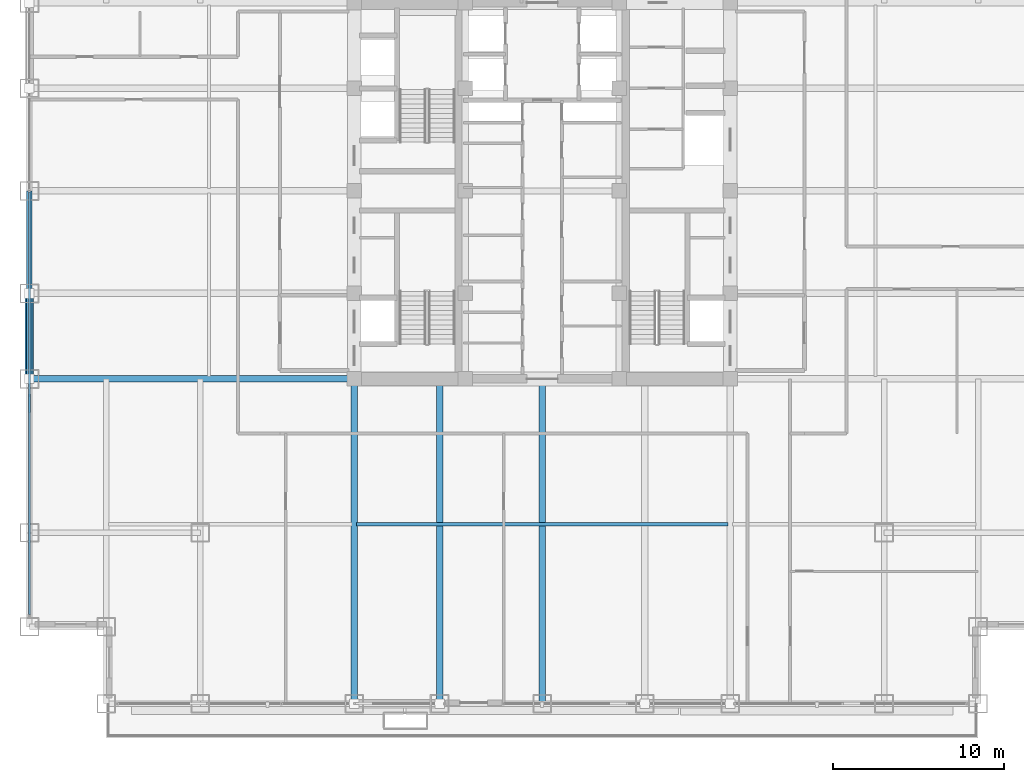
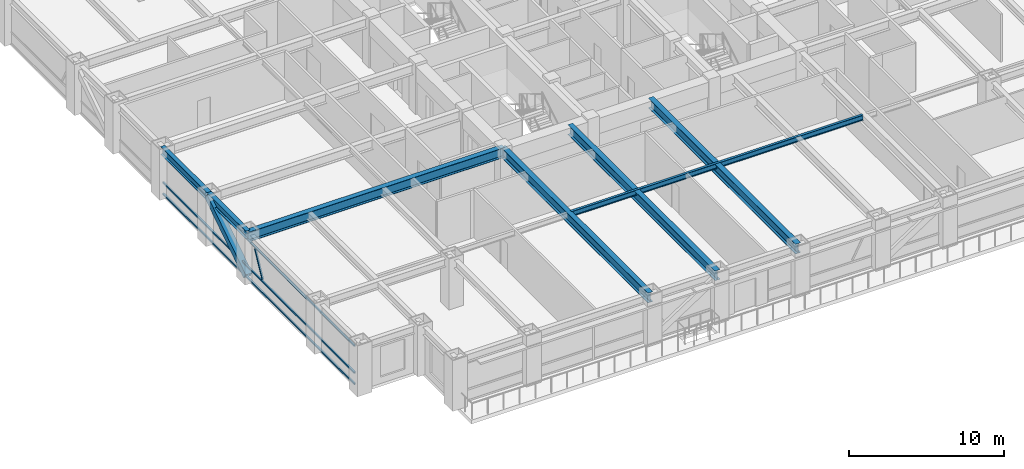
# One storey, part 6 of 35: 7 beams, 5 members, 1 element without a shape of its own.
"""IFC4 building model written with IfcOpenShell, lengths in metres."""

from ifc_helpers import new_model, si_unit, direction, frame, origin, origin_2d, place, context, subcontext, project, spatial, hollow_rectangle, i_section, extrude, source, transform, mapped, material, material_profile, profile_set, type_object, element, aggregate, save


model = new_model("IFC4")

# Units and contexts
model_context = context("Model", 3, precision=1e-05, world=origin(), true_north=direction((0.0, 1.0)))
body_context = subcontext(model_context, "Body", "Model", "MODEL_VIEW")
ifc_project = project(units=[si_unit("LENGTHUNIT", "METRE"), si_unit("AREAUNIT", "SQUARE_METRE"), si_unit("VOLUMEUNIT", "CUBIC_METRE"), si_unit("PLANEANGLEUNIT", "RADIAN"), si_unit("MASSUNIT", "GRAM", prefix="KILO")], contexts=[model_context])

# Site, building, storey
site_placement = place(None, origin())
site = spatial("IfcSite", under=ifc_project, at=site_placement, CompositionType="ELEMENT")
building_placement = place(site_placement, origin())
building = spatial("IfcBuilding", under=site, at=building_placement, Name="Khorayat Bourse Tower", CompositionType="ELEMENT")
storey_placement = place(building_placement, frame((0.0, 0.0, 155.10009765625)))
storey = spatial("IfcBuildingStorey", under=building, at=storey_placement, Name="L35", CompositionType="ELEMENT", Elevation=155.10009765625)

# Beams
ifc_material_1 = material(Name="Steel ASTM A992 Grade 50", Category="steel")
ifc_material_profile_1 = material_profile(ifc_material_1, i_section(OverallWidth=0.381103515625, OverallDepth=0.77294921875, WebThickness=0.0166015625, FlangeThickness=0.027587890625, FilletRadius=0.01806640625, at=origin_2d()), Name="W760X257")
ifc_profile_set_1 = profile_set([ifc_material_profile_1], Name="Steel ASTM A992 Grade 50")
beam_type_1 = type_object("IfcBeamType", Name="BM-GIRD-760", PredefinedType="BEAM", material=ifc_profile_set_1)
shared_shape_1 = source(origin(), body_context, "Body", "SweptSolid", [
    extrude(i_section(OverallWidth=0.381103515625, OverallDepth=0.77294921875, WebThickness=0.0166015625, FlangeThickness=0.027587890625, FilletRadius=0.01806640625, at=origin_2d()), origin(), (0.0, 0.0, 1.0), 19.0),
])
for number, where, z_axis, x_axis, name in (
    (1, (-11.0, -30.0, 3.393310546875), (0.0, 1.0, 0.0), (-1.0, 0.0, 0.0), "L35 BM-GIRD-760 BM-L35-RADY-065"),
    (2, (-6.0, -30.0, 3.393310546875), (0.0, 1.0, 0.0), (-1.0, 0.0, 0.0), "L35 BM-GIRD-760 BM-L35-RADY-067"),
    (3, (0.0, -30.0, 3.393310546875), (0.0, 1.0, 0.0), (-1.0, 0.0, 0.0), "L35 BM-GIRD-760 BM-L35-RADY-069"),
    (4, (-30.0, -11.0, 3.393310546875), (1.0, 0.0, 0.0), (0.0, 1.0, 0.0), "L35 BM-GIRD-760 BM-L35-RADX-075"),
):
    element("IfcBeam", number, at=place(storey_placement, frame(where, z_axis=z_axis, x_axis=x_axis)), inside=storey, type_object=beam_type_1, Name=name, PredefinedType="BEAM", context=body_context, shape_type="MappedRepresentation", body=[
        mapped(shared_shape_1, transform((0.0, 0.0, 0.0), scale=1.0)),
    ])
ifc_material_profile_2 = material_profile(ifc_material_1, i_section(OverallWidth=0.180908203125, OverallDepth=0.4169921875, WebThickness=0.010986328125, FlangeThickness=0.018310546875, FilletRadius=0.011962890625, at=origin_2d()), Name="W410X85")
ifc_profile_set_2 = profile_set([ifc_material_profile_2], Name="Steel ASTM A992 Grade 50")
beam_type_2 = type_object("IfcBeamType", Name="BM-JOIST-410", PredefinedType="JOIST", material=ifc_profile_set_2)
shared_shape_2 = source(origin(), body_context, "Body", "SweptSolid", [
    extrude(i_section(OverallWidth=0.180908203125, OverallDepth=0.4169921875, WebThickness=0.010986328125, FlangeThickness=0.018310546875, FilletRadius=0.011962890625, at=origin_2d()), origin(), (0.0, 0.0, 1.0), 21.740234375),
])
beam_1_placement = place(storey_placement, frame((-10.8701171875, -19.5, 3.5712890625), z_axis=(1.0, 0.0, 0.0), x_axis=(0.0, 1.0, 0.0)))
element("IfcBeam", 5, at=beam_1_placement, inside=storey, type_object=beam_type_2, Name="L35 BM-JOIST-410 BM-L35-JSTX-097", PredefinedType="JOIST", context=body_context, shape_type="MappedRepresentation", body=[
    mapped(shared_shape_2, transform((0.0, 0.0, 0.0), scale=1.0)),
])
ifc_material_profile_3 = material_profile(ifc_material_1, i_section(OverallWidth=0.324951171875, OverallDepth=0.615966796875, WebThickness=0.013916015625, FlangeThickness=0.021484375, FilletRadius=0.01611328125, at=origin_2d()), Name="W610X174")
ifc_profile_set_3 = profile_set([ifc_material_profile_3], Name="Steel ASTM A992 Grade 50")
beam_type_3 = type_object("IfcBeamType", Name="BM-SPAN-610", PredefinedType="SPANDREL", material=ifc_profile_set_3)
shared_shape_3 = source(origin(), body_context, "Body", "SweptSolid", [
    extrude(i_section(OverallWidth=0.324951171875, OverallDepth=0.615966796875, WebThickness=0.013916015625, FlangeThickness=0.021484375, FilletRadius=0.01611328125, at=origin_2d()), origin(), (0.0, 0.0, 1.0), 5.0),
])
beam_2_placement = place(storey_placement, frame((-30.0, -11.0, 3.471923828125), z_axis=(0.0, 1.0, 0.0), x_axis=(-1.0, 0.0, 0.0)))
element("IfcBeam", 6, at=beam_2_placement, inside=storey, type_object=beam_type_3, Name="L35 BM-SPAN-610 BM-L35-SPN-059", PredefinedType="SPANDREL", context=body_context, shape_type="MappedRepresentation", body=[
    mapped(shared_shape_3, transform((0.0, 0.0, 0.0), scale=1.0)),
])
shared_shape_4 = source(origin(), body_context, "Body", "SweptSolid", [
    extrude(i_section(OverallWidth=0.324951171875, OverallDepth=0.615966796875, WebThickness=0.013916015625, FlangeThickness=0.021484375, FilletRadius=0.01611328125, at=origin_2d()), origin(), (0.0, 0.0, 1.0), 6.0),
])
beam_3_placement = place(storey_placement, frame((-30.0, -6.0, 3.471923828125), z_axis=(0.0, 1.0, 0.0), x_axis=(-1.0, 0.0, 0.0)))
element("IfcBeam", 7, at=beam_3_placement, inside=storey, type_object=beam_type_3, Name="L35 BM-SPAN-610 BM-L35-SPN-058", PredefinedType="SPANDREL", context=body_context, shape_type="MappedRepresentation", body=[
    mapped(shared_shape_4, transform((0.0, 0.0, 0.0), scale=1.0)),
])

# Member
ifc_material_2 = material(Name="Steel EN 10025-4 S460M", Category="steel")
ifc_material_profile_4 = material_profile(ifc_material_2, hollow_rectangle(XDim=0.5, YDim=0.5, WallThickness=0.028076171875, at=origin_2d()), Name="HSS 500x500x28")
ifc_profile_set_4 = profile_set([ifc_material_profile_4], Name="Steel EN 10025-4 S460M")
member_type_1 = type_object("IfcMemberType", Name="MBR-TUBE-500", PredefinedType="BRACE", material=ifc_profile_set_4)
shared_shape_5 = source(origin(), body_context, "Body", "SweptSolid", [
    extrude(hollow_rectangle(XDim=0.5, YDim=0.5, WallThickness=0.028076171875, at=origin_2d()), origin(), (0.0, 0.0, 1.0), 5.979736328125),
])
member_1_placement = place(storey_placement, frame((-30.0, -11.0, 0.25), z_axis=(0.0, 0.836160261256, 0.548485202623), x_axis=(-1.0, 0.0, 0.0)))
element("IfcMember", 8, at=member_1_placement, inside=storey, type_object=member_type_1, Name="L35 Perimeter Tube Brace 05", PredefinedType="BRACE", context=body_context, shape_type="MappedRepresentation", body=[
    mapped(shared_shape_5, transform((0.0, 0.0, 0.0), scale=1.0)),
])

# Curtain wall, members
ifc_material_3 = material(Name="Aluminium EN AW-6063 T6", Category="aluminium")
curtain_wall_type = type_object("IfcCurtainWallType", Name="CW-SYS-03", PredefinedType="NOTDEFINED", material=ifc_material_3)
curtain_wall_placement = place(storey_placement, origin())
curtain_wall = element("IfcCurtainWall", 9, at=curtain_wall_placement, inside=storey, type_object=curtain_wall_type, Name="L35 Curtain Wall CW-L35-W1", PredefinedType="NOTDEFINED")
ifc_material_profile_5 = material_profile(ifc_material_3, hollow_rectangle(XDim=0.1201171875, YDim=0.1201171875, WallThickness=0.0048828125, at=origin_2d()), Name="ALU 120x120x5")
ifc_profile_set_5 = profile_set([ifc_material_profile_5], Name="Aluminium EN AW-6063 T6")
member_type_2 = type_object("IfcMemberType", Name="CWM-DIAG-120", PredefinedType="MULLION", material=ifc_profile_set_5)
shared_shape_6 = source(origin(), body_context, "Body", "SweptSolid", [
    extrude(hollow_rectangle(XDim=0.1201171875, YDim=0.1201171875, WallThickness=0.0048828125, at=origin_2d()), origin(), (0.0, 0.0, 1.0), 2.079345703125),
])
member_2_placement = place(storey_placement, frame((-30.0, -12.904296875, 1.08984375), z_axis=(0.0, 0.465760949701, 0.884910581773), x_axis=(-1.0, 0.0, 0.0)))
member_2 = element("IfcMember", 10, at=member_2_placement, type_object=member_type_2, Name="CW-L35-W1 Faceted Diagonal Mullion 1", PredefinedType="MULLION", context=body_context, shape_type="MappedRepresentation", body=[
    mapped(shared_shape_6, transform((0.0, 0.0, 0.0), scale=1.0)),
])
ifc_material_profile_6 = material_profile(ifc_material_3, hollow_rectangle(XDim=0.1201171875, YDim=0.1201171875, WallThickness=0.0048828125, at=origin_2d()), Name="ALU 120x120x5")
ifc_profile_set_6 = profile_set([ifc_material_profile_6], Name="Aluminium EN AW-6063 T6")
member_type_3 = type_object("IfcMemberType", Name="CWT-HORZ-120", PredefinedType="USERDEFINED", material=ifc_profile_set_6)
shared_shape_7 = source(origin(), body_context, "Body", "SweptSolid", [
    extrude(hollow_rectangle(XDim=0.1201171875, YDim=0.1201171875, WallThickness=0.0048828125, at=origin_2d()), origin(), (0.0, 0.0, 1.0), 24.719970703125),
])
member_3_placement = place(storey_placement, frame((-30.0, -24.780029296875, 0.059814453125), z_axis=(0.0, 1.0, 0.0), x_axis=(-1.0, 0.0, 0.0)))
member_3 = element("IfcMember", 11, at=member_3_placement, type_object=member_type_3, Name="CW-L35-W1 Horizontal Transom 1-1", ObjectType="TRANSOM", PredefinedType="USERDEFINED", context=body_context, shape_type="MappedRepresentation", body=[
    mapped(shared_shape_7, transform((0.0, 0.0, 0.0), scale=1.0)),
])
member_4_placement = place(storey_placement, frame((-30.0, -24.780029296875, 0.949951171875), z_axis=(0.0, 1.0, 0.0), x_axis=(-1.0, 0.0, 0.0)))
member_4 = element("IfcMember", 12, at=member_4_placement, type_object=member_type_3, Name="CW-L35-W1 Horizontal Transom 1-2", ObjectType="TRANSOM", PredefinedType="USERDEFINED", context=body_context, shape_type="MappedRepresentation", body=[
    mapped(shared_shape_7, transform((0.0, 0.0, 0.0), scale=1.0)),
])
member_5_placement = place(storey_placement, frame((-30.0, -24.780029296875, 3.06982421875), z_axis=(0.0, 1.0, 0.0), x_axis=(-1.0, 0.0, 0.0)))
member_5 = element("IfcMember", 13, at=member_5_placement, type_object=member_type_3, Name="CW-L35-W1 Horizontal Transom 1-3", ObjectType="TRANSOM", PredefinedType="USERDEFINED", context=body_context, shape_type="MappedRepresentation", body=[
    mapped(shared_shape_7, transform((0.0, 0.0, 0.0), scale=1.0)),
])
aggregate(curtain_wall, [member_3, member_4, member_5, member_2])

save(model, "model.ifc")
